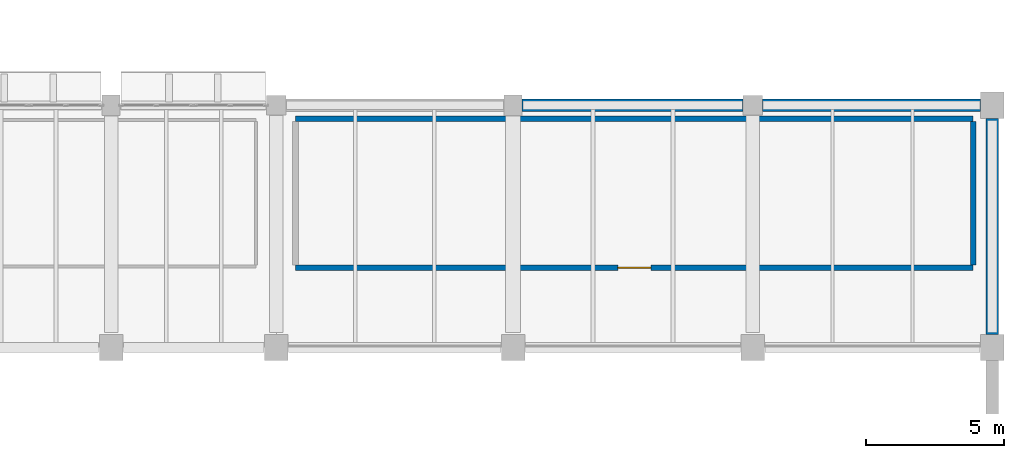
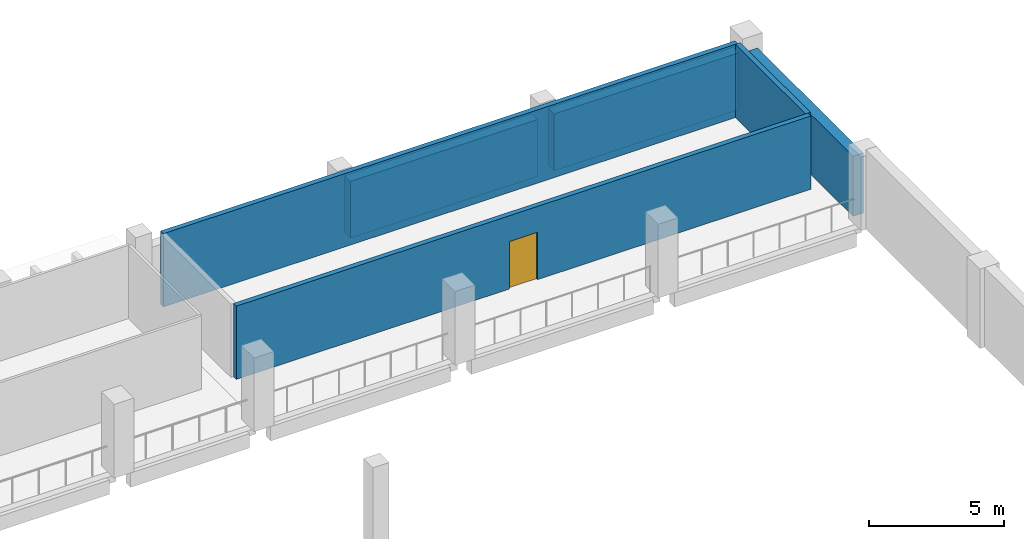
# One storey, part 64 of 75: 6 walls, 1 door, 1 opening.
"""IFC4 building model written with IfcOpenShell, lengths in metres."""

from ifc_helpers import new_model, si_unit, direction, frame, frame_2d, origin, place, context, subcontext, project, spatial, rectangle, extrude, material, layer, layer_set, type_object, element, fill, save


model = new_model("IFC4")

# Units and contexts
model_context = context("Model", 3, precision=1e-05, world=origin(), true_north=direction((0.0, 1.0)))
body_context = subcontext(model_context, "Body", "Model", "MODEL_VIEW")
ifc_project = project(units=[si_unit("LENGTHUNIT", "METRE"), si_unit("AREAUNIT", "SQUARE_METRE"), si_unit("VOLUMEUNIT", "CUBIC_METRE"), si_unit("PLANEANGLEUNIT", "RADIAN"), si_unit("MASSUNIT", "GRAM", prefix="KILO")], contexts=[model_context])

# Site, building, storey
site_placement = place(None, origin())
site = spatial("IfcSite", under=ifc_project, at=site_placement, CompositionType="ELEMENT")
building_placement = place(site_placement, origin())
building = spatial("IfcBuilding", under=site, at=building_placement, Name="Varnakota Cinema and Media Centre", CompositionType="ELEMENT")
storey_placement = place(building_placement, frame((0.0, 0.0, 8.39990234375)))
storey = spatial("IfcBuildingStorey", under=building, at=storey_placement, Name="L02", CompositionType="ELEMENT", Elevation=8.39990234375)

# Wall, opening, door
ifc_material_1 = material(Name="Autoclaved aerated concrete blockwork", Category="masonry")
ifc_layer_1 = layer(ifc_material_1, 0.2099609375)
ifc_layer_set_1 = layer_set([ifc_layer_1], Name="Autoclaved aerated concrete blockwork")
wall_type_1 = type_object("IfcWallType", Name="W-ACOUST-210", PredefinedType="PARTITIONING", material=ifc_layer_set_1)
wall_1_placement = place(storey_placement, frame((160.304931640625, 38.094970703125, 0.0), z_axis=(0.0, 0.0, 1.0), x_axis=(-1.0, 0.0, 0.0)))
wall_1 = element("IfcWall", 1, at=wall_1_placement, inside=storey, type_object=wall_type_1, Name="L02 RWALL-RM-L02-DIMMER S wall", PredefinedType="PARTITIONING", context=body_context, shape_type="SweptSolid", body=[
    extrude(rectangle(XDim=24.60986328125, YDim=0.2099609375, at=frame_2d((12.304931640625, 0.0))), origin(), (0.0, 0.0, 1.0), 3.320068359375),
])
opening_placement = place(wall_1_placement, frame((11.705078125, 0.0, 0.0)))
opening = element("IfcOpeningElement", 2, at=opening_placement, cuts=wall_1, Name="Opening D-081", PredefinedType="OPENING", context=body_context, shape_type="SweptSolid", body=[
    extrude(rectangle(XDim=1.199951171875, YDim=2.14990234375, at=frame_2d((0.60009765625, 1.074951171875))), frame((0.0, 0.10498046875, 0.0), z_axis=(0.0, -1.0, 0.0), x_axis=(1.0, 0.0, 0.0)), (0.0, 0.0, 1.0), 0.2099609375),
])
ifc_material_2 = material(Name="Thermally broken anodised aluminium AW-6063", Category="aluminium")
door_type = type_object("IfcDoorType", Name="DR-STD-1200x2150", OperationType="NOTDEFINED", PredefinedType="DOOR", material=ifc_material_2)
door_placement = place(opening_placement, origin())
door = element("IfcDoor", 3, at=door_placement, inside=storey, type_object=door_type, Name="L02 door D-081", OperationType="SINGLE_SWING_LEFT", OverallHeight=2.14990234375, OverallWidth=1.199951171875, PredefinedType="DOOR", context=body_context, shape_type="SweptSolid", body=[
    extrude(rectangle(XDim=1.199951171875, YDim=2.14990234375, at=frame_2d((0.60009765625, 1.074951171875))), frame((0.0, 0.02490234375, 0.0), z_axis=(0.0, -1.0, 0.0), x_axis=(1.0, 0.0, 0.0)), (0.0, 0.0, 1.0), 0.050048828125),
])
fill(opening, door)

# Walls
wall_2_placement = place(storey_placement, frame((135.695068359375, 43.5048828125, 0.0), z_axis=(0.0, 0.0, 1.0), x_axis=(1.0, 0.0, 0.0)))
element("IfcWall", 4, at=wall_2_placement, inside=storey, type_object=wall_type_1, Name="L02 RWALL-RM-L02-DIMMER N wall", PredefinedType="PARTITIONING", context=body_context, shape_type="SweptSolid", body=[
    extrude(rectangle(XDim=24.60986328125, YDim=0.2099609375, at=frame_2d((12.304931640625, 0.0))), origin(), (0.0, 0.0, 1.0), 3.320068359375),
])
wall_3_placement = place(storey_placement, frame((160.304931640625, 43.39990234375, 0.0), z_axis=(0.0, 0.0, 1.0), x_axis=(0.0, -1.0, 0.0)))
element("IfcWall", 5, at=wall_3_placement, inside=storey, type_object=wall_type_1, Name="L02 RWALL-RM-L02-DIMMER E wall", PredefinedType="PARTITIONING", context=body_context, shape_type="SweptSolid", body=[
    extrude(rectangle(XDim=5.199951171875, YDim=0.2099609375, at=frame_2d((2.60009765625, 0.0))), origin(), (0.0, 0.0, 1.0), 3.320068359375),
])
ifc_material_3 = material(Name="Deccan grey granite ashlar", Category="masonry")
ifc_layer_2 = layer(ifc_material_3, 0.43994140625)
ifc_layer_set_2 = layer_set([ifc_layer_2], Name="Deccan grey granite ashlar")
wall_type_2 = type_object("IfcWallType", Name="W-EXT-HALL-440", PredefinedType="SOLIDWALL", material=ifc_layer_set_2)
wall_4_placement = place(storey_placement, frame((161.0, 35.675048828125, 0.0), z_axis=(0.0, 0.0, 1.0), x_axis=(0.0, 1.0, 0.0)))
element("IfcWall", 6, at=wall_4_placement, inside=storey, type_object=wall_type_2, Name="L02 exterior wall V2-E-GAL-1", PredefinedType="SOLIDWALL", context=body_context, shape_type="SweptSolid", body=[
    extrude(rectangle(XDim=7.849853515625, YDim=0.43994140625, at=frame_2d((3.9248046875, 0.0))), origin(), (0.0, 0.0, 1.0), 2.72509765625),
])
wall_5_placement = place(storey_placement, frame((143.925048828125, 44.0, 0.0), z_axis=(0.0, 0.0, 1.0), x_axis=(1.0, 0.0, 0.0)))
element("IfcWall", 7, at=wall_5_placement, inside=storey, type_object=wall_type_2, Name="L02 exterior wall V2-N-2", PredefinedType="SOLIDWALL", context=body_context, shape_type="SweptSolid", body=[
    extrude(rectangle(XDim=8.02490234375, YDim=0.43994140625, at=frame_2d((4.012451171875, 0.0))), origin(), (0.0, 0.0, 1.0), 2.5751953125),
])
wall_6_placement = place(storey_placement, frame((152.64990234375, 44.0, 0.0), z_axis=(0.0, 0.0, 1.0), x_axis=(1.0, 0.0, 0.0)))
element("IfcWall", 8, at=wall_6_placement, inside=storey, type_object=wall_type_2, Name="L02 exterior wall V2-N-3", PredefinedType="SOLIDWALL", context=body_context, shape_type="SweptSolid", body=[
    extrude(rectangle(XDim=7.925048828125, YDim=0.43994140625, at=frame_2d((3.96240234375, 0.0))), origin(), (0.0, 0.0, 1.0), 2.5751953125),
])

save(model, "model.ifc")
